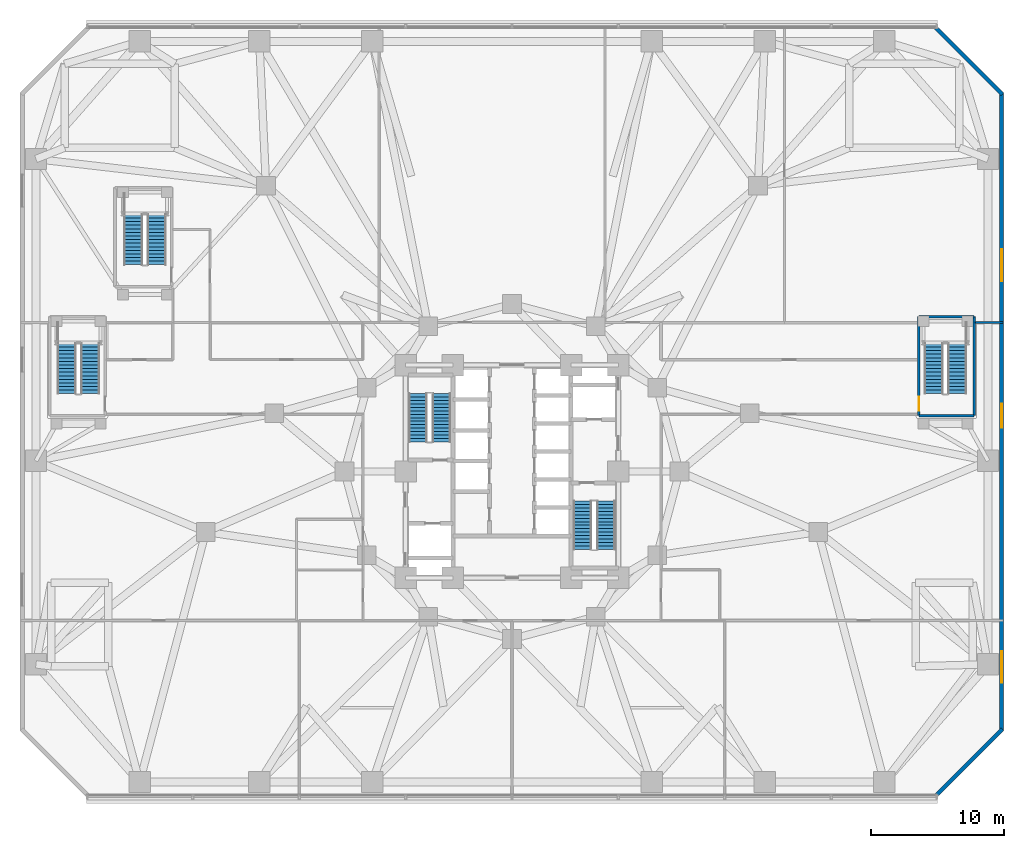
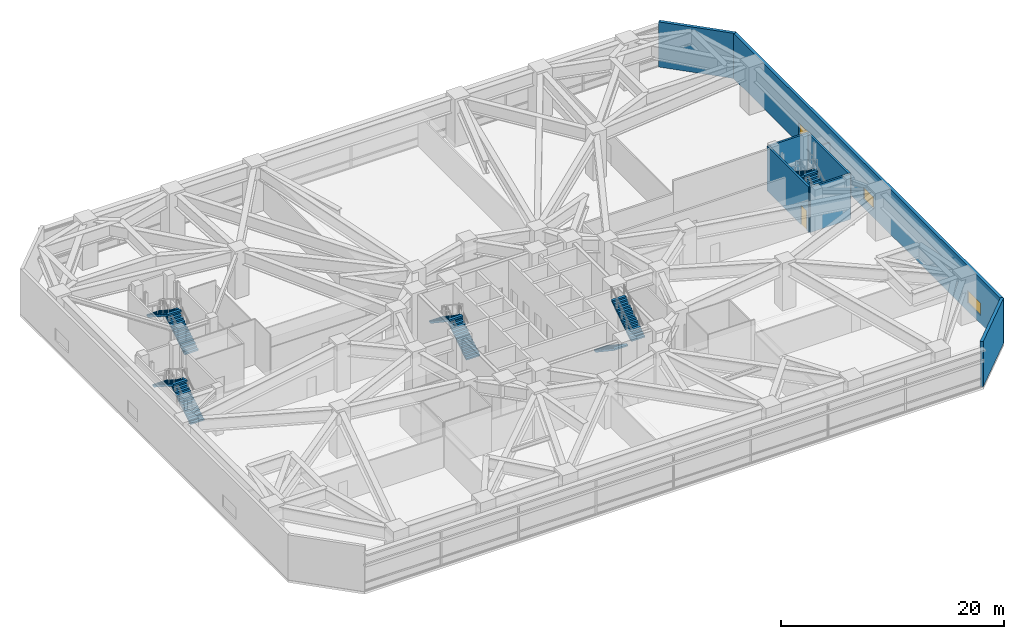
# One storey, part 18 of 27: 10 stair flights, 8 walls, 3 windows, 1 door, 4 openings, 5 elements without a shape of their own.
"""IFC4 building model written with IfcOpenShell, lengths in metres."""

from ifc_helpers import new_model, si_unit, direction, frame, frame_2d, origin, place, context, subcontext, project, spatial, polyline, rectangle, outline, extrude, material, layer, layer_set, type_object, element, fill, aggregate, save


model = new_model("IFC4")

# Units and contexts
model_context = context("Model", 3, precision=1e-05, world=origin(), true_north=direction((0.0, 1.0)))
body_context = subcontext(model_context, "Body", "Model", "MODEL_VIEW")
ifc_project = project(units=[si_unit("LENGTHUNIT", "METRE"), si_unit("AREAUNIT", "SQUARE_METRE"), si_unit("VOLUMEUNIT", "CUBIC_METRE"), si_unit("PLANEANGLEUNIT", "RADIAN"), si_unit("MASSUNIT", "GRAM", prefix="KILO")], contexts=[model_context])

# Site, building, storey
site_placement = place(None, origin())
site = spatial("IfcSite", under=ifc_project, at=site_placement, CompositionType="ELEMENT")
building_placement = place(site_placement, origin())
building = spatial("IfcBuilding", under=site, at=building_placement, Name="Terralouvre Media Tower", CompositionType="ELEMENT")
storey_placement = place(building_placement, frame((0.0, 0.0, 20.800048828125)))
storey = spatial("IfcBuildingStorey", under=building, at=storey_placement, Name="L04", CompositionType="ELEMENT", Elevation=20.800048828125)

# Walls
ifc_material_1 = material(Name="Fire-rated gypsum board drywall partition")
ifc_layer_1 = layer(ifc_material_1, 0.199951171875, Name="Fire-Rated Shaft and Lobby Partition FW-200")
ifc_layer_set_1 = layer_set([ifc_layer_1], Name="Fire-rated gypsum board drywall partition")
wall_type_1 = type_object("IfcWallType", Name="Fire-Rated Shaft and Lobby Partition FW-200", PredefinedType="SOLIDWALL", material=ifc_layer_set_1)
wall_1_placement = place(storey_placement, frame((30.60009765625, 4.199951171875, 0.0), z_axis=(0.0, 0.0, 1.0), x_axis=(1.0, 0.0, 0.0)))
element("IfcWall", 1, at=wall_1_placement, inside=storey, type_object=wall_type_1, Name="L04 ST04 Stair Shaft Wall S", PredefinedType="SOLIDWALL", context=body_context, shape_type="SweptSolid", body=[
    extrude(rectangle(XDim=4.14990234375, YDim=0.199951171875, at=frame_2d((2.074951171875, 0.0))), origin(), (0.0, 0.0, 1.0), 4.93994140625),
])
wall_2_placement = place(storey_placement, frame((34.75, 4.199951171875, 0.0), z_axis=(0.0, 0.0, 1.0), x_axis=(0.0, 1.0, 0.0)))
element("IfcWall", 2, at=wall_2_placement, inside=storey, type_object=wall_type_1, Name="L04 ST04 Stair Shaft Wall E", PredefinedType="SOLIDWALL", context=body_context, shape_type="SweptSolid", body=[
    extrude(rectangle(XDim=7.449951171875, YDim=0.199951171875, at=frame_2d((3.72509765625, 0.0))), origin(), (0.0, 0.0, 1.0), 4.93994140625),
])
wall_3_placement = place(storey_placement, frame((34.75, 11.64990234375, 0.0), z_axis=(0.0, 0.0, 1.0), x_axis=(-1.0, 0.0, 0.0)))
element("IfcWall", 3, at=wall_3_placement, inside=storey, type_object=wall_type_1, Name="L04 ST04 Stair Shaft Wall N", PredefinedType="SOLIDWALL", context=body_context, shape_type="SweptSolid", body=[
    extrude(rectangle(XDim=4.14990234375, YDim=0.199951171875, at=frame_2d((2.074951171875, 0.0))), origin(), (0.0, 0.0, 1.0), 4.93994140625),
])

# Wall, opening, door
wall_4_placement = place(storey_placement, frame((30.60009765625, 11.64990234375, 0.0), z_axis=(0.0, 0.0, 1.0), x_axis=(0.0, -1.0, 0.0)))
wall_4 = element("IfcWall", 4, at=wall_4_placement, inside=storey, type_object=wall_type_1, Name="L04 ST04 Stair Shaft Wall W", PredefinedType="SOLIDWALL", context=body_context, shape_type="SweptSolid", body=[
    extrude(rectangle(XDim=7.449951171875, YDim=0.199951171875, at=frame_2d((3.72509765625, 0.0))), origin(), (0.0, 0.0, 1.0), 4.93994140625),
])
opening_1_placement = place(wall_4_placement, frame((6.0400390625, 0.0, 0.0)))
opening_1 = element("IfcOpeningElement", 5, at=opening_1_placement, cuts=wall_4, Name="Opening FD-01-105X215", PredefinedType="OPENING", context=body_context, shape_type="SweptSolid", body=[
    extrude(rectangle(XDim=1.050048828125, YDim=2.14990234375, at=frame_2d((0.52490234375, 1.074951171875))), frame((0.0, 0.10986328125, 0.0), z_axis=(0.0, -1.0, 0.0), x_axis=(1.0, 0.0, 0.0)), (0.0, 0.0, 1.0), 0.219970703125),
])
ifc_material_2 = material(Name="Galvanised steel fire-resisting leaf", Category="steel")
door_type = type_object("IfcDoorType", Name="Stair and Firefighting Lobby Fire Door FD-01 (1050x2150)", OperationType="NOTDEFINED", PredefinedType="DOOR", material=ifc_material_2)
door_placement = place(opening_1_placement, origin())
door = element("IfcDoor", 6, at=door_placement, inside=storey, type_object=door_type, Name="L04 ST04 Pressurised Stair Door", OperationType="SINGLE_SWING_LEFT", OverallHeight=2.14990234375, OverallWidth=1.050048828125, PredefinedType="DOOR", context=body_context, shape_type="SweptSolid", body=[
    extrude(rectangle(XDim=1.050048828125, YDim=2.14990234375, at=frame_2d((0.52490234375, 1.074951171875))), frame((0.0, 0.02490234375, 0.0), z_axis=(0.0, -1.0, 0.0), x_axis=(1.0, 0.0, 0.0)), (0.0, 0.0, 1.0), 0.050048828125),
])
fill(opening_1, door)

# Walls
ifc_material_3 = material(Name="Fire-rated gypsum board drywall partition")
ifc_layer_2 = layer(ifc_material_3, 0.135009765625, Name="Newsroom Acoustic Partition PT-135")
ifc_layer_set_2 = layer_set([ifc_layer_2], Name="Fire-rated gypsum board drywall partition")
wall_type_2 = type_object("IfcWallType", Name="Newsroom Acoustic Partition PT-135", PredefinedType="PARTITIONING", material=ifc_layer_set_2)
wall_5_placement = place(storey_placement, frame((36.919921875, 11.199951171875, 0.0), z_axis=(0.0, 0.0, 1.0), x_axis=(-1.0, 0.0, 0.0)))
element("IfcWall", 7, at=wall_5_placement, inside=storey, type_object=wall_type_2, Name="L04 Interior Partition 039", PredefinedType="PARTITIONING", context=body_context, shape_type="SweptSolid", body=[
    extrude(rectangle(XDim=2.06982421875, YDim=0.135009765625, at=frame_2d((1.034912109375, 0.0))), origin(), (0.0, 0.0, 1.0), 3.425048828125),
])
ifc_material_4 = material(Name="Kiln-fired architectural terracotta rainscreen cladding", Category="masonry")
ifc_layer_3 = layer(ifc_material_4, 0.300048828125, Name="Podium Acoustic Terracotta Cladding Wall EW-TC300")
ifc_layer_set_3 = layer_set([ifc_layer_3], Name="Kiln-fired architectural terracotta rainscreen cladding")
wall_type_3 = type_object("IfcWallType", Name="Podium Acoustic Terracotta Cladding Wall EW-TC300", PredefinedType="SOLIDWALL", material=ifc_layer_set_3)
wall_6_placement = place(storey_placement, frame((31.876220703125, -24.376220703125, 0.0), z_axis=(0.0, 0.0, 1.0), x_axis=(0.707106781187, 0.707106781187, 0.0)))
element("IfcWall", 8, at=wall_6_placement, inside=storey, type_object=wall_type_3, Name="L04 Podium Terracotta Wall F1", PredefinedType="SOLIDWALL", context=body_context, shape_type="SweptSolid", body=[
    extrude(rectangle(XDim=7.071044921875, YDim=0.300048828125, at=frame_2d((3.53564453125, 0.0))), origin(), (0.0, 0.0, 1.0), 4.93994140625),
])

# Wall, openings, windows
wall_7_placement = place(storey_placement, frame((36.824951171875, -19.5, 0.0), z_axis=(0.0, 0.0, 1.0), x_axis=(0.0, 1.0, 0.0)))
wall_7 = element("IfcWall", 9, at=wall_7_placement, inside=storey, type_object=wall_type_3, Name="L04 Podium Terracotta Wall F2", PredefinedType="SOLIDWALL", context=body_context, shape_type="SweptSolid", body=[
    extrude(rectangle(XDim=48.0, YDim=0.300048828125, at=frame_2d((24.0, 0.0))), origin(), (0.0, 0.0, 1.0), 4.93994140625),
])
opening_2_placement = place(wall_7_placement, frame((3.60009765625, 0.0, 0.89990234375)))
opening_2 = element("IfcOpeningElement", 10, at=opening_2_placement, cuts=wall_7, Name="Opening W-01", PredefinedType="OPENING", context=body_context, shape_type="SweptSolid", body=[
    extrude(rectangle(XDim=2.39990234375, YDim=1.35009765625, at=frame_2d((1.199951171875, 0.675048828125))), frame((0.0, 0.159912109375, 0.0), z_axis=(0.0, -1.0, 0.0), x_axis=(1.0, 0.0, 0.0)), (0.0, 0.0, 1.0), 0.320068359375),
])
opening_3_placement = place(wall_7_placement, frame((22.800048828125, 0.0, 0.89990234375)))
opening_3 = element("IfcOpeningElement", 11, at=opening_3_placement, cuts=wall_7, Name="Opening W-02", PredefinedType="OPENING", context=body_context, shape_type="SweptSolid", body=[
    extrude(rectangle(XDim=1.800048828125, YDim=1.35009765625, at=frame_2d((0.89990234375, 0.675048828125))), frame((0.0, 0.159912109375, 0.0), z_axis=(0.0, -1.0, 0.0), x_axis=(1.0, 0.0, 0.0)), (0.0, 0.0, 1.0), 0.320068359375),
])
opening_4_placement = place(wall_7_placement, frame((33.800048828125, 0.0, 0.89990234375)))
opening_4 = element("IfcOpeningElement", 12, at=opening_4_placement, cuts=wall_7, Name="Opening W-01", PredefinedType="OPENING", context=body_context, shape_type="SweptSolid", body=[
    extrude(rectangle(XDim=2.39990234375, YDim=1.35009765625, at=frame_2d((1.199951171875, 0.675048828125))), frame((0.0, 0.159912109375, 0.0), z_axis=(0.0, -1.0, 0.0), x_axis=(1.0, 0.0, 0.0)), (0.0, 0.0, 1.0), 0.320068359375),
])
ifc_material_5 = material(Name="Low-iron laminated double glazing with solar-control coating", Category="glass")
window_type_1 = type_object("IfcWindowType", Name="Podium Acoustic Studio Window W-01", PartitioningType="SINGLE_PANEL", PredefinedType="WINDOW", material=ifc_material_5)
window_1_placement = place(opening_2_placement, origin())
window_1 = element("IfcWindow", 13, at=window_1_placement, inside=storey, type_object=window_type_1, Name="L04 Podium Window WIN-L04-F2-1", OverallHeight=1.35009765625, OverallWidth=2.39990234375, PartitioningType="SINGLE_PANEL", PredefinedType="WINDOW", context=body_context, shape_type="SweptSolid", body=[
    extrude(rectangle(XDim=2.39990234375, YDim=1.35009765625, at=frame_2d((1.199951171875, 0.675048828125))), frame((0.0, 0.030029296875, 0.0), z_axis=(0.0, -1.0, 0.0), x_axis=(1.0, 0.0, 0.0)), (0.0, 0.0, 1.0), 0.06005859375),
])
fill(opening_2, window_1)
window_2_placement = place(opening_4_placement, origin())
window_2 = element("IfcWindow", 14, at=window_2_placement, inside=storey, type_object=window_type_1, Name="L04 Podium Window WIN-L04-F2-3", OverallHeight=1.35009765625, OverallWidth=2.39990234375, PartitioningType="SINGLE_PANEL", PredefinedType="WINDOW", context=body_context, shape_type="SweptSolid", body=[
    extrude(rectangle(XDim=2.39990234375, YDim=1.35009765625, at=frame_2d((1.199951171875, 0.675048828125))), frame((0.0, 0.030029296875, 0.0), z_axis=(0.0, -1.0, 0.0), x_axis=(1.0, 0.0, 0.0)), (0.0, 0.0, 1.0), 0.06005859375),
])
fill(opening_4, window_2)
ifc_material_6 = material(Name="Low-iron laminated double glazing with solar-control coating", Category="glass")
window_type_2 = type_object("IfcWindowType", Name="Podium Press Office Window W-02", PartitioningType="SINGLE_PANEL", PredefinedType="WINDOW", material=ifc_material_6)
window_3_placement = place(opening_3_placement, origin())
window_3 = element("IfcWindow", 15, at=window_3_placement, inside=storey, type_object=window_type_2, Name="L04 Podium Window WIN-L04-F2-2", OverallHeight=1.35009765625, OverallWidth=1.800048828125, PartitioningType="SINGLE_PANEL", PredefinedType="WINDOW", context=body_context, shape_type="SweptSolid", body=[
    extrude(rectangle(XDim=1.800048828125, YDim=1.35009765625, at=frame_2d((0.89990234375, 0.675048828125))), frame((0.0, 0.030029296875, 0.0), z_axis=(0.0, -1.0, 0.0), x_axis=(1.0, 0.0, 0.0)), (0.0, 0.0, 1.0), 0.06005859375),
])
fill(opening_3, window_3)

# Wall
wall_8_placement = place(storey_placement, frame((36.876220703125, 28.376220703125, 0.0), z_axis=(0.0, 0.0, 1.0), x_axis=(-0.707106781187, 0.707106781187, 0.0)))
element("IfcWall", 16, at=wall_8_placement, inside=storey, type_object=wall_type_3, Name="L04 Podium Terracotta Wall F3", PredefinedType="SOLIDWALL", context=body_context, shape_type="SweptSolid", body=[
    extrude(rectangle(XDim=7.071044921875, YDim=0.300048828125, at=frame_2d((3.53564453125, 0.0))), origin(), (0.0, 0.0, 1.0), 4.93994140625),
])

# Stair, stair flights
ifc_material_7 = material(Name="Concrete C45/55", Category="concrete")
stair_type_1 = type_object("IfcStairType", Name="Dogleg Stair Assembly ST-01", PredefinedType="HALF_TURN_STAIR", material=ifc_material_7)
stair_1_placement = place(storey_placement, origin())
stair_1 = element("IfcStair", 17, at=stair_1_placement, inside=storey, type_object=stair_type_1, Name="L04 Core Pressurised Exit Stair ST-01", PredefinedType="HALF_TURN_STAIR")
ifc_material_8 = material(Name="Concrete C45/55", Category="concrete")
stair_flight_type = type_object("IfcStairFlightType", Name="Reinforced Concrete Stair Flight SF-RC1", PredefinedType="STRAIGHT", material=ifc_material_8)
stair_flight_1_placement = place(storey_placement, frame((-5.300048828125, 2.219970703125, 0.0), z_axis=(0.0, 0.0, 1.0), x_axis=(0.0, 1.0, 0.0)))
stair_flight_1 = element("IfcStairFlight", 18, at=stair_flight_1_placement, type_object=stair_flight_type, Name="ST-01 flight 1", NumberOfRisers=15, NumberOfTreads=14, PredefinedType="STRAIGHT", RiserHeight=0.173333333, TreadLength=0.26, context=body_context, shape_type="SweptSolid", body=[
    extrude(outline(polyline([(0.0, 0.0), (0.0, 0.17333984375), (0.260009765625, 0.17333984375), (0.260009765625, 0.3466796875), (0.52001953125, 0.3466796875), (0.52001953125, 0.52001953125), (0.780029296875, 0.52001953125), (0.780029296875, 0.693359375), (1.0400390625, 0.693359375), (1.0400390625, 0.86669921875), (1.300048828125, 0.86669921875), (1.300048828125, 1.0400390625), (1.56005859375, 1.0400390625), (1.56005859375, 1.21337890625), (1.820068359375, 1.21337890625), (1.820068359375, 1.38671875), (2.080078125, 1.38671875), (2.080078125, 1.56005859375), (2.340087890625, 1.56005859375), (2.340087890625, 1.7333984375), (2.60009765625, 1.7333984375), (2.60009765625, 1.90673828125), (2.860107421875, 1.90673828125), (2.860107421875, 2.080078125), (3.1201171875, 2.080078125), (3.1201171875, 2.25341796875), (3.3798828125, 2.25341796875), (3.3798828125, 2.4267578125), (3.639892578125, 2.4267578125), (3.639892578125, 2.60009765625), (3.639892578125, 2.24658203125), (0.270263671875, 0.0), (0.0, 0.0)])), frame((0.0, 0.699951171875, 0.0), z_axis=(0.0, -1.0, 0.0), x_axis=(1.0, 0.0, 0.0)), (0.0, 0.0, 1.0), 1.39990234375),
])
stair_flight_2_placement = place(storey_placement, frame((-7.080078125, 5.860107421875, 2.599853515625), z_axis=(0.0, 0.0, 1.0), x_axis=(0.0, -1.0, 0.0)))
stair_flight_2 = element("IfcStairFlight", 19, at=stair_flight_2_placement, type_object=stair_flight_type, Name="ST-01 flight 2", NumberOfRisers=15, NumberOfTreads=14, PredefinedType="STRAIGHT", RiserHeight=0.173333333, TreadLength=0.26, context=body_context, shape_type="SweptSolid", body=[
    extrude(outline(polyline([(0.0, 0.0), (0.0, 0.17333984375), (0.260009765625, 0.17333984375), (0.260009765625, 0.3466796875), (0.52001953125, 0.3466796875), (0.52001953125, 0.52001953125), (0.780029296875, 0.52001953125), (0.780029296875, 0.693359375), (1.0400390625, 0.693359375), (1.0400390625, 0.86669921875), (1.300048828125, 0.86669921875), (1.300048828125, 1.0400390625), (1.56005859375, 1.0400390625), (1.56005859375, 1.21337890625), (1.820068359375, 1.21337890625), (1.820068359375, 1.38671875), (2.080078125, 1.38671875), (2.080078125, 1.56005859375), (2.340087890625, 1.56005859375), (2.340087890625, 1.7333984375), (2.60009765625, 1.7333984375), (2.60009765625, 1.90673828125), (2.860107421875, 1.90673828125), (2.860107421875, 2.080078125), (3.1201171875, 2.080078125), (3.1201171875, 2.25341796875), (3.3798828125, 2.25341796875), (3.3798828125, 2.4267578125), (3.639892578125, 2.4267578125), (3.639892578125, 2.60009765625), (3.639892578125, 2.24658203125), (0.270263671875, 0.0), (0.0, 0.0)])), frame((0.0, 0.699951171875, 0.0), z_axis=(0.0, -1.0, 0.0), x_axis=(1.0, 0.0, 0.0)), (0.0, 0.0, 1.0), 1.39990234375),
])
aggregate(stair_1, [stair_flight_1, stair_flight_2])

ifc_material_9 = material(Name="Concrete C45/55", Category="concrete")
stair_type_2 = type_object("IfcStairType", Name="Dogleg Stair Assembly ST-02", PredefinedType="HALF_TURN_STAIR", material=ifc_material_9)
stair_2_placement = place(storey_placement, origin())
stair_2 = element("IfcStair", 20, at=stair_2_placement, inside=storey, type_object=stair_type_2, Name="L04 Core Pressurised Exit Stair ST-02", PredefinedType="HALF_TURN_STAIR")
stair_flight_3_placement = place(storey_placement, frame((5.300048828125, -2.219970703125, 0.0), z_axis=(0.0, 0.0, 1.0), x_axis=(0.0, -1.0, 0.0)))
stair_flight_3 = element("IfcStairFlight", 21, at=stair_flight_3_placement, type_object=stair_flight_type, Name="ST-02 flight 1", NumberOfRisers=15, NumberOfTreads=14, PredefinedType="STRAIGHT", RiserHeight=0.173333333, TreadLength=0.26, context=body_context, shape_type="SweptSolid", body=[
    extrude(outline(polyline([(0.0, 0.0), (0.0, 0.17333984375), (0.260009765625, 0.17333984375), (0.260009765625, 0.3466796875), (0.52001953125, 0.3466796875), (0.52001953125, 0.52001953125), (0.780029296875, 0.52001953125), (0.780029296875, 0.693359375), (1.0400390625, 0.693359375), (1.0400390625, 0.86669921875), (1.300048828125, 0.86669921875), (1.300048828125, 1.0400390625), (1.56005859375, 1.0400390625), (1.56005859375, 1.21337890625), (1.820068359375, 1.21337890625), (1.820068359375, 1.38671875), (2.080078125, 1.38671875), (2.080078125, 1.56005859375), (2.340087890625, 1.56005859375), (2.340087890625, 1.7333984375), (2.60009765625, 1.7333984375), (2.60009765625, 1.90673828125), (2.860107421875, 1.90673828125), (2.860107421875, 2.080078125), (3.1201171875, 2.080078125), (3.1201171875, 2.25341796875), (3.3798828125, 2.25341796875), (3.3798828125, 2.4267578125), (3.639892578125, 2.4267578125), (3.639892578125, 2.60009765625), (3.639892578125, 2.24658203125), (0.270263671875, 0.0), (0.0, 0.0)])), frame((0.0, 0.699951171875, 0.0), z_axis=(0.0, -1.0, 0.0), x_axis=(1.0, 0.0, 0.0)), (0.0, 0.0, 1.0), 1.39990234375),
])
stair_flight_4_placement = place(storey_placement, frame((7.080078125, -5.860107421875, 2.599853515625), z_axis=(0.0, 0.0, 1.0), x_axis=(0.0, 1.0, 0.0)))
stair_flight_4 = element("IfcStairFlight", 22, at=stair_flight_4_placement, type_object=stair_flight_type, Name="ST-02 flight 2", NumberOfRisers=15, NumberOfTreads=14, PredefinedType="STRAIGHT", RiserHeight=0.173333333, TreadLength=0.26, context=body_context, shape_type="SweptSolid", body=[
    extrude(outline(polyline([(0.0, 0.0), (0.0, 0.17333984375), (0.260009765625, 0.17333984375), (0.260009765625, 0.3466796875), (0.52001953125, 0.3466796875), (0.52001953125, 0.52001953125), (0.780029296875, 0.52001953125), (0.780029296875, 0.693359375), (1.0400390625, 0.693359375), (1.0400390625, 0.86669921875), (1.300048828125, 0.86669921875), (1.300048828125, 1.0400390625), (1.56005859375, 1.0400390625), (1.56005859375, 1.21337890625), (1.820068359375, 1.21337890625), (1.820068359375, 1.38671875), (2.080078125, 1.38671875), (2.080078125, 1.56005859375), (2.340087890625, 1.56005859375), (2.340087890625, 1.7333984375), (2.60009765625, 1.7333984375), (2.60009765625, 1.90673828125), (2.860107421875, 1.90673828125), (2.860107421875, 2.080078125), (3.1201171875, 2.080078125), (3.1201171875, 2.25341796875), (3.3798828125, 2.25341796875), (3.3798828125, 2.4267578125), (3.639892578125, 2.4267578125), (3.639892578125, 2.60009765625), (3.639892578125, 2.24658203125), (0.270263671875, 0.0), (0.0, 0.0)])), frame((0.0, 0.699951171875, 0.0), z_axis=(0.0, -1.0, 0.0), x_axis=(1.0, 0.0, 0.0)), (0.0, 0.0, 1.0), 1.39990234375),
])
aggregate(stair_2, [stair_flight_3, stair_flight_4])

ifc_material_10 = material(Name="Concrete C45/55", Category="concrete")
stair_type_3 = type_object("IfcStairType", Name="Dogleg Stair Assembly ST-03", PredefinedType="HALF_TURN_STAIR", material=ifc_material_10)
stair_3_placement = place(storey_placement, origin())
stair_3 = element("IfcStair", 23, at=stair_3_placement, inside=storey, type_object=stair_type_3, Name="L04 West Podium Exit Stair ST-03", PredefinedType="HALF_TURN_STAIR")
stair_flight_5_placement = place(storey_placement, frame((-31.7099609375, 5.85009765625, 0.0), z_axis=(0.0, 0.0, 1.0), x_axis=(0.0, 1.0, 0.0)))
stair_flight_5 = element("IfcStairFlight", 24, at=stair_flight_5_placement, type_object=stair_flight_type, Name="ST-03 flight 1", NumberOfRisers=15, NumberOfTreads=14, PredefinedType="STRAIGHT", RiserHeight=0.173333333, TreadLength=0.27, context=body_context, shape_type="SweptSolid", body=[
    extrude(outline(polyline([(0.0, 0.0), (0.0, 0.17333984375), (0.27001953125, 0.17333984375), (0.27001953125, 0.3466796875), (0.5400390625, 0.3466796875), (0.5400390625, 0.52001953125), (0.81005859375, 0.52001953125), (0.81005859375, 0.693359375), (1.080078125, 0.693359375), (1.080078125, 0.86669921875), (1.35009765625, 0.86669921875), (1.35009765625, 1.0400390625), (1.6201171875, 1.0400390625), (1.6201171875, 1.21337890625), (1.889892578125, 1.21337890625), (1.889892578125, 1.38671875), (2.159912109375, 1.38671875), (2.159912109375, 1.56005859375), (2.429931640625, 1.56005859375), (2.429931640625, 1.7333984375), (2.699951171875, 1.7333984375), (2.699951171875, 1.90673828125), (2.969970703125, 1.90673828125), (2.969970703125, 2.080078125), (3.239990234375, 2.080078125), (3.239990234375, 2.25341796875), (3.510009765625, 2.25341796875), (3.510009765625, 2.4267578125), (3.780029296875, 2.4267578125), (3.780029296875, 2.60009765625), (3.780029296875, 2.24853515625), (0.277587890625, 0.0), (0.0, 0.0)])), frame((0.0, 0.7099609375, 0.0), z_axis=(0.0, -1.0, 0.0), x_axis=(1.0, 0.0, 0.0)), (0.0, 0.0, 1.0), 1.419921875),
])
stair_flight_6_placement = place(storey_placement, frame((-33.489990234375, 9.6298828125, 2.599853515625), z_axis=(0.0, 0.0, 1.0), x_axis=(0.0, -1.0, 0.0)))
stair_flight_6 = element("IfcStairFlight", 25, at=stair_flight_6_placement, type_object=stair_flight_type, Name="ST-03 flight 2", NumberOfRisers=15, NumberOfTreads=14, PredefinedType="STRAIGHT", RiserHeight=0.173333333, TreadLength=0.27, context=body_context, shape_type="SweptSolid", body=[
    extrude(outline(polyline([(0.0, 0.0), (0.0, 0.17333984375), (0.27001953125, 0.17333984375), (0.27001953125, 0.3466796875), (0.5400390625, 0.3466796875), (0.5400390625, 0.52001953125), (0.81005859375, 0.52001953125), (0.81005859375, 0.693359375), (1.080078125, 0.693359375), (1.080078125, 0.86669921875), (1.35009765625, 0.86669921875), (1.35009765625, 1.0400390625), (1.6201171875, 1.0400390625), (1.6201171875, 1.21337890625), (1.889892578125, 1.21337890625), (1.889892578125, 1.38671875), (2.159912109375, 1.38671875), (2.159912109375, 1.56005859375), (2.429931640625, 1.56005859375), (2.429931640625, 1.7333984375), (2.699951171875, 1.7333984375), (2.699951171875, 1.90673828125), (2.969970703125, 1.90673828125), (2.969970703125, 2.080078125), (3.239990234375, 2.080078125), (3.239990234375, 2.25341796875), (3.510009765625, 2.25341796875), (3.510009765625, 2.4267578125), (3.780029296875, 2.4267578125), (3.780029296875, 2.60009765625), (3.780029296875, 2.24853515625), (0.277587890625, 0.0), (0.0, 0.0)])), frame((0.0, 0.7099609375, 0.0), z_axis=(0.0, -1.0, 0.0), x_axis=(1.0, 0.0, 0.0)), (0.0, 0.0, 1.0), 1.419921875),
])
aggregate(stair_3, [stair_flight_5, stair_flight_6])

ifc_material_11 = material(Name="Concrete C45/55", Category="concrete")
stair_type_4 = type_object("IfcStairType", Name="Dogleg Stair Assembly ST-04", PredefinedType="HALF_TURN_STAIR", material=ifc_material_11)
stair_4_placement = place(storey_placement, origin())
stair_4 = element("IfcStair", 26, at=stair_4_placement, inside=storey, type_object=stair_type_4, Name="L04 East Podium Exit Stair ST-04", PredefinedType="HALF_TURN_STAIR")
stair_flight_7_placement = place(storey_placement, frame((33.489990234375, 5.85009765625, 0.0), z_axis=(0.0, 0.0, 1.0), x_axis=(0.0, 1.0, 0.0)))
stair_flight_7 = element("IfcStairFlight", 27, at=stair_flight_7_placement, type_object=stair_flight_type, Name="ST-04 flight 1", NumberOfRisers=15, NumberOfTreads=14, PredefinedType="STRAIGHT", RiserHeight=0.173333333, TreadLength=0.27, context=body_context, shape_type="SweptSolid", body=[
    extrude(outline(polyline([(0.0, 0.0), (0.0, 0.17333984375), (0.27001953125, 0.17333984375), (0.27001953125, 0.3466796875), (0.5400390625, 0.3466796875), (0.5400390625, 0.52001953125), (0.81005859375, 0.52001953125), (0.81005859375, 0.693359375), (1.080078125, 0.693359375), (1.080078125, 0.86669921875), (1.35009765625, 0.86669921875), (1.35009765625, 1.0400390625), (1.6201171875, 1.0400390625), (1.6201171875, 1.21337890625), (1.889892578125, 1.21337890625), (1.889892578125, 1.38671875), (2.159912109375, 1.38671875), (2.159912109375, 1.56005859375), (2.429931640625, 1.56005859375), (2.429931640625, 1.7333984375), (2.699951171875, 1.7333984375), (2.699951171875, 1.90673828125), (2.969970703125, 1.90673828125), (2.969970703125, 2.080078125), (3.239990234375, 2.080078125), (3.239990234375, 2.25341796875), (3.510009765625, 2.25341796875), (3.510009765625, 2.4267578125), (3.780029296875, 2.4267578125), (3.780029296875, 2.60009765625), (3.780029296875, 2.24853515625), (0.277587890625, 0.0), (0.0, 0.0)])), frame((0.0, 0.7099609375, 0.0), z_axis=(0.0, -1.0, 0.0), x_axis=(1.0, 0.0, 0.0)), (0.0, 0.0, 1.0), 1.419921875),
])
stair_flight_8_placement = place(storey_placement, frame((31.7099609375, 9.6298828125, 2.599853515625), z_axis=(0.0, 0.0, 1.0), x_axis=(0.0, -1.0, 0.0)))
stair_flight_8 = element("IfcStairFlight", 28, at=stair_flight_8_placement, type_object=stair_flight_type, Name="ST-04 flight 2", NumberOfRisers=15, NumberOfTreads=14, PredefinedType="STRAIGHT", RiserHeight=0.173333333, TreadLength=0.27, context=body_context, shape_type="SweptSolid", body=[
    extrude(outline(polyline([(0.0, 0.0), (0.0, 0.17333984375), (0.27001953125, 0.17333984375), (0.27001953125, 0.3466796875), (0.5400390625, 0.3466796875), (0.5400390625, 0.52001953125), (0.81005859375, 0.52001953125), (0.81005859375, 0.693359375), (1.080078125, 0.693359375), (1.080078125, 0.86669921875), (1.35009765625, 0.86669921875), (1.35009765625, 1.0400390625), (1.6201171875, 1.0400390625), (1.6201171875, 1.21337890625), (1.889892578125, 1.21337890625), (1.889892578125, 1.38671875), (2.159912109375, 1.38671875), (2.159912109375, 1.56005859375), (2.429931640625, 1.56005859375), (2.429931640625, 1.7333984375), (2.699951171875, 1.7333984375), (2.699951171875, 1.90673828125), (2.969970703125, 1.90673828125), (2.969970703125, 2.080078125), (3.239990234375, 2.080078125), (3.239990234375, 2.25341796875), (3.510009765625, 2.25341796875), (3.510009765625, 2.4267578125), (3.780029296875, 2.4267578125), (3.780029296875, 2.60009765625), (3.780029296875, 2.24853515625), (0.277587890625, 0.0), (0.0, 0.0)])), frame((0.0, 0.7099609375, 0.0), z_axis=(0.0, -1.0, 0.0), x_axis=(1.0, 0.0, 0.0)), (0.0, 0.0, 1.0), 1.419921875),
])
aggregate(stair_4, [stair_flight_7, stair_flight_8])

ifc_material_12 = material(Name="Concrete C45/55", Category="concrete")
stair_type_5 = type_object("IfcStairType", Name="Dogleg Stair Assembly ST-06", PredefinedType="HALF_TURN_STAIR", material=ifc_material_12)
stair_5_placement = place(storey_placement, origin())
stair_5 = element("IfcStair", 29, at=stair_5_placement, inside=storey, type_object=stair_type_5, Name="L04 Podium Garden Visitor Stair ST-06", PredefinedType="HALF_TURN_STAIR")
stair_flight_9_placement = place(storey_placement, frame((-26.7099609375, 15.550048828125, 0.0), z_axis=(0.0, 0.0, 1.0), x_axis=(0.0, 1.0, 0.0)))
stair_flight_9 = element("IfcStairFlight", 30, at=stair_flight_9_placement, type_object=stair_flight_type, Name="ST-06 flight 1", NumberOfRisers=15, NumberOfTreads=14, PredefinedType="STRAIGHT", RiserHeight=0.173333333, TreadLength=0.27, context=body_context, shape_type="SweptSolid", body=[
    extrude(outline(polyline([(0.0, 0.0), (0.0, 0.17333984375), (0.27001953125, 0.17333984375), (0.27001953125, 0.3466796875), (0.5400390625, 0.3466796875), (0.5400390625, 0.52001953125), (0.81005859375, 0.52001953125), (0.81005859375, 0.693359375), (1.080078125, 0.693359375), (1.080078125, 0.86669921875), (1.35009765625, 0.86669921875), (1.35009765625, 1.0400390625), (1.6201171875, 1.0400390625), (1.6201171875, 1.21337890625), (1.889892578125, 1.21337890625), (1.889892578125, 1.38671875), (2.159912109375, 1.38671875), (2.159912109375, 1.56005859375), (2.429931640625, 1.56005859375), (2.429931640625, 1.7333984375), (2.699951171875, 1.7333984375), (2.699951171875, 1.90673828125), (2.969970703125, 1.90673828125), (2.969970703125, 2.080078125), (3.239990234375, 2.080078125), (3.239990234375, 2.25341796875), (3.510009765625, 2.25341796875), (3.510009765625, 2.4267578125), (3.780029296875, 2.4267578125), (3.780029296875, 2.60009765625), (3.780029296875, 2.24853515625), (0.277587890625, 0.0), (0.0, 0.0)])), frame((0.0, 0.7099609375, 0.0), z_axis=(0.0, -1.0, 0.0), x_axis=(1.0, 0.0, 0.0)), (0.0, 0.0, 1.0), 1.419921875),
])
stair_flight_10_placement = place(storey_placement, frame((-28.489990234375, 19.330078125, 2.599853515625), z_axis=(0.0, 0.0, 1.0), x_axis=(0.0, -1.0, 0.0)))
stair_flight_10 = element("IfcStairFlight", 31, at=stair_flight_10_placement, type_object=stair_flight_type, Name="ST-06 flight 2", NumberOfRisers=15, NumberOfTreads=14, PredefinedType="STRAIGHT", RiserHeight=0.173333333, TreadLength=0.27, context=body_context, shape_type="SweptSolid", body=[
    extrude(outline(polyline([(0.0, 0.0), (0.0, 0.17333984375), (0.27001953125, 0.17333984375), (0.27001953125, 0.3466796875), (0.5400390625, 0.3466796875), (0.5400390625, 0.52001953125), (0.81005859375, 0.52001953125), (0.81005859375, 0.693359375), (1.080078125, 0.693359375), (1.080078125, 0.86669921875), (1.35009765625, 0.86669921875), (1.35009765625, 1.0400390625), (1.6201171875, 1.0400390625), (1.6201171875, 1.21337890625), (1.889892578125, 1.21337890625), (1.889892578125, 1.38671875), (2.159912109375, 1.38671875), (2.159912109375, 1.56005859375), (2.429931640625, 1.56005859375), (2.429931640625, 1.7333984375), (2.699951171875, 1.7333984375), (2.699951171875, 1.90673828125), (2.969970703125, 1.90673828125), (2.969970703125, 2.080078125), (3.239990234375, 2.080078125), (3.239990234375, 2.25341796875), (3.510009765625, 2.25341796875), (3.510009765625, 2.4267578125), (3.780029296875, 2.4267578125), (3.780029296875, 2.60009765625), (3.780029296875, 2.24853515625), (0.277587890625, 0.0), (0.0, 0.0)])), frame((0.0, 0.7099609375, 0.0), z_axis=(0.0, -1.0, 0.0), x_axis=(1.0, 0.0, 0.0)), (0.0, 0.0, 1.0), 1.419921875),
])
aggregate(stair_5, [stair_flight_9, stair_flight_10])

save(model, "model.ifc")
